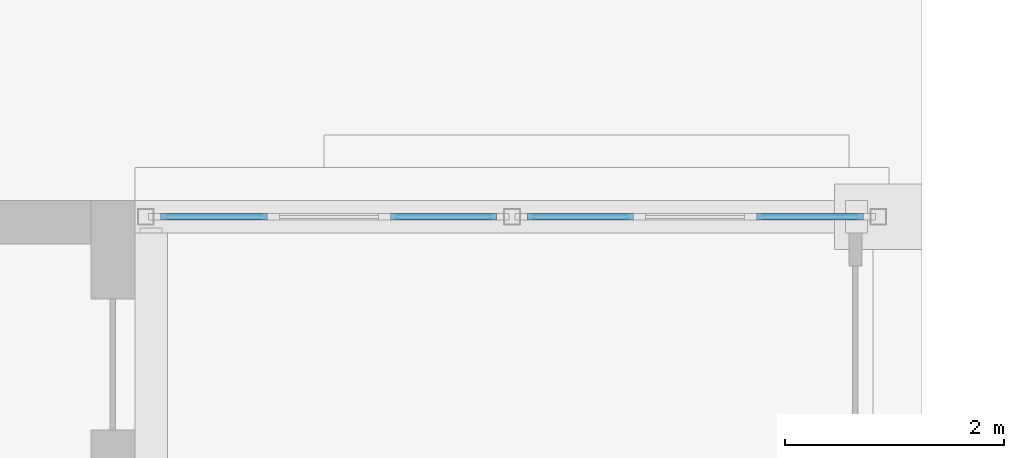
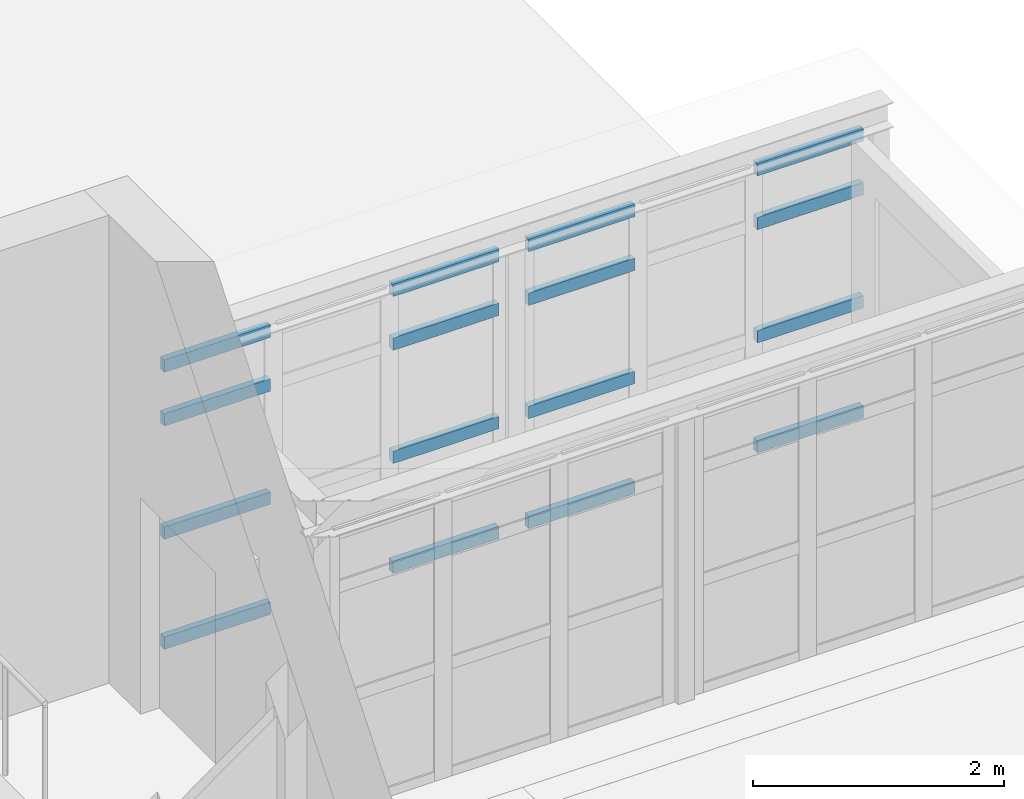
# One storey, part 61 of 131: 16 members, 2 elements without a shape of their own.
"""IFC4 building model written with IfcOpenShell, lengths in metres."""

import ifcopenshell
import ifcopenshell.guid

model = None  # the IFC model being written
_history = None  # IfcOwnerHistory: only IFC2X3 demands one
_inside = {}  # id of a spatial element -> (the spatial element, [elements in it])
_under = {}  # id of a project, library or spatial element -> (it, [spatial elements below it])
_declared = {}  # id of a project -> (the project, [libraries it declares])
_typed = {}  # id of a type object -> (the type object, [elements of that type])
_made_of = {}  # id of a material, layer set ... -> (it, [elements and type objects made of it])


def new_model(schema):
    """Start an empty IFC model of exactly this schema.

    Asked for "IFC4X3", IfcOpenShell would pick the latest addendum, in which some entities
    have other attributes; the version numbers below select the first issue.
    IFC2X3 requires an IfcOwnerHistory on every rooted entity: one is made here for all.
    """
    global model, _history
    if schema == "IFC4X3":
        model = ifcopenshell.file(schema_version=(4, 3, 0, 0))
    else:
        model = ifcopenshell.file(schema=schema)
    _inside.clear()
    _under.clear()
    _declared.clear()
    _typed.clear()
    _made_of.clear()
    _history = None
    if model.schema == "IFC2X3":
        org = make("IfcOrganization", Name="unknown")
        user = make(
            "IfcPersonAndOrganization",
            ThePerson=make("IfcPerson", FamilyName="unknown"),
            TheOrganization=org,
        )
        app = make(
            "IfcApplication",
            ApplicationDeveloper=org,
            Version="unknown",
            ApplicationFullName="unknown",
            ApplicationIdentifier="unknown",
        )
        _history = make(
            "IfcOwnerHistory",
            OwningUser=user,
            OwningApplication=app,
            ChangeAction="ADDED",
            CreationDate=0,
        )
    return model


def make(cls, **values):
    """One entity of the class cls with the attributes given. An attribute that is None is left unset."""
    return model.create_entity(
        cls, **{name: value for name, value in values.items() if value is not None}
    )


def rooted(cls, **values):
    """An entity with a GlobalId (a new one), such as an element, a storey or a relation."""
    return make(cls, GlobalId=ifcopenshell.guid.new(), OwnerHistory=_history, **values)


def si_unit(unit_type, name, prefix=None):
    """IfcSIUnit, for example si_unit("LENGTHUNIT", "METRE", prefix="MILLI")."""
    return make("IfcSIUnit", UnitType=unit_type, Prefix=prefix, Name=name)


def assignment(units):
    """IfcUnitAssignment: the units of a project."""
    return None if units is None else make("IfcUnitAssignment", Units=units)


def point(xyz):
    """IfcCartesianPoint."""
    return None if xyz is None else make("IfcCartesianPoint", Coordinates=xyz)


def direction(xyz):
    """IfcDirection."""
    return None if xyz is None else make("IfcDirection", DirectionRatios=xyz)


def frame(location, z_axis=None, x_axis=None):
    """IfcAxis2Placement3D, a coordinate frame: its origin and axes. An axis left out is left unset."""
    return make(
        "IfcAxis2Placement3D",
        Location=point(location),
        Axis=direction(z_axis),
        RefDirection=direction(x_axis),
    )


def frame_2d(location, x_axis=None):
    """IfcAxis2Placement2D, a coordinate frame in the plane: its origin and x axis."""
    return make(
        "IfcAxis2Placement2D", Location=point(location), RefDirection=direction(x_axis)
    )


def origin():
    """The frame at (0, 0, 0) with its axes left unset."""
    return frame((0.0, 0.0, 0.0))


def origin_2d():
    """The frame at (0, 0) in the plane with its x axis left unset."""
    return frame_2d((0.0, 0.0))


def place(relative_to, where):
    """IfcLocalPlacement: puts the frame where relative to a parent placement (None: the world)."""
    return make(
        "IfcLocalPlacement", PlacementRelTo=relative_to, RelativePlacement=where
    )


def context(
    kind, dimensions, precision=None, world=None, true_north=None, identifier=None
):
    """IfcGeometricRepresentationContext, for example the 3D "Model" context."""
    return make(
        "IfcGeometricRepresentationContext",
        ContextIdentifier=identifier,
        ContextType=kind,
        CoordinateSpaceDimension=dimensions,
        Precision=precision,
        WorldCoordinateSystem=world,
        TrueNorth=true_north,
    )


def subcontext(parent, identifier, kind, view, scale=None):
    """IfcGeometricRepresentationSubContext, for example "Body" below "Model"."""
    return make(
        "IfcGeometricRepresentationSubContext",
        ContextIdentifier=identifier,
        ContextType=kind,
        ParentContext=parent,
        TargetScale=scale,
        TargetView=view,
    )


def project(units=None, contexts=None):
    """IfcProject with its units and contexts."""
    return rooted(
        "IfcProject",
        Name="project",
        RepresentationContexts=contexts,
        UnitsInContext=assignment(units),
    )


def spatial(cls, under=None, at=None, **own):
    """A site, building, storey or space (cls), placed at a placement, below another one or the project."""
    s = rooted(cls, ObjectPlacement=at, **own)
    if under is not None:
        _under.setdefault(under.id(), (under, []))[1].append(s)
    return s


def profile(cls, at=None, kind="AREA", **sizes):
    """A parametric profile (cls). Its sizes go by their IFC names, for example OverallWidth=200.0."""
    return make(cls, ProfileType=kind, Position=at, **sizes)


def rectangle(**sizes):
    """IfcRectangleProfileDef."""
    return profile("IfcRectangleProfileDef", **sizes)


def extrude(swept, where, along, depth):
    """IfcExtrudedAreaSolid: the profile swept, set in the frame where, extruded along a direction by depth."""
    return make(
        "IfcExtrudedAreaSolid",
        SweptArea=swept,
        Position=where,
        ExtrudedDirection=direction(along),
        Depth=depth,
    )


def shape(context_of_items, identifier, shape_type, items):
    """IfcShapeRepresentation: the items that make up one representation, for example the "Body"."""
    return make(
        "IfcShapeRepresentation",
        ContextOfItems=context_of_items,
        RepresentationIdentifier=identifier,
        RepresentationType=shape_type,
        Items=items,
    )


def material(Name=None, Category=None):
    """IfcMaterial."""
    return make("IfcMaterial", Name=Name, Category=Category)


def layer(
    of_material, thickness, ventilated=None, Name=None, Category=None, Priority=None
):
    """IfcMaterialLayer: one layer of a wall or slab, of a material (None: an air gap)."""
    return make(
        "IfcMaterialLayer",
        Material=of_material,
        LayerThickness=thickness,
        IsVentilated=ventilated,
        Name=Name,
        Category=Category,
        Priority=Priority,
    )


def layer_set(layers, Name=None):
    """IfcMaterialLayerSet."""
    return make("IfcMaterialLayerSet", MaterialLayers=layers, LayerSetName=Name)


def material_profile(
    of_material, cross_section, Name=None, Category=None, Priority=None
):
    """IfcMaterialProfile: a cross section and its material."""
    return make(
        "IfcMaterialProfile",
        Name=Name,
        Material=of_material,
        Profile=cross_section,
        Priority=Priority,
        Category=Category,
    )


def profile_set(profiles, Name=None, composite=None):
    """IfcMaterialProfileSet."""
    return make(
        "IfcMaterialProfileSet",
        Name=Name,
        MaterialProfiles=profiles,
        CompositeProfile=composite,
    )


def made_of(thing, what):
    """Note that an element or type object is made of a material, layer set ...; save() writes the relation."""
    if what is not None:
        _made_of.setdefault(what.id(), (what, []))[1].append(thing)
    return thing


def type_object(cls, material=None, **own):
    """A type object (cls), such as IfcWallType, which elements share."""
    return made_of(rooted(cls, **own), material)


def element(
    cls,
    number,
    at=None,
    inside=None,
    cuts=None,
    type_object=None,
    material=None,
    context=None,
    identifier="Body",
    shape_type=None,
    held_by="IfcProductDefinitionShape",
    body=None,
    shapes=None,
    **own,
):
    """One element of the class cls, such as IfcWall. Its Tag is "e" and its number.

    at: its placement. inside: the storey or other place that contains it. cuts: it is an
    opening in that element (IfcRelVoidsElement). A single representation is given by context,
    identifier, shape_type and body (its items); several are given by shapes. held_by: the class
    of the entity that holds the representations. save() writes the other relations.
    """
    e = rooted(cls, Tag="e%d" % number, ObjectPlacement=at, **own)
    if body is not None:
        shapes = [shape(context, identifier, shape_type, body)]
    if shapes is not None:
        e.Representation = make(held_by, Representations=shapes)
    if inside is not None:
        _inside.setdefault(inside.id(), (inside, []))[1].append(e)
    if cuts is not None:
        rooted(
            "IfcRelVoidsElement", RelatingBuildingElement=cuts, RelatedOpeningElement=e
        )
    if type_object is not None:
        _typed.setdefault(type_object.id(), (type_object, []))[1].append(e)
    return made_of(e, material)


def aggregate(whole, parts):
    """IfcRelAggregates: a whole, such as a stair, and the parts it consists of."""
    return rooted("IfcRelAggregates", RelatingObject=whole, RelatedObjects=parts)


def save(model, path):
    """Write the relations noted so far, then the file.

    IfcRelAggregates (storeys below a building ...), IfcRelContainedInSpatialStructure (elements
    in a storey), IfcRelDefinesByType, IfcRelAssociatesMaterial and IfcRelDeclares: one each for
    every whole, place, type object, material and project.
    """
    for whole, parts in _under.values():
        aggregate(whole, parts)
    for where, things in _inside.values():
        rooted(
            "IfcRelContainedInSpatialStructure",
            RelatedElements=things,
            RelatingStructure=where,
        )
    for kind, things in _typed.values():
        rooted("IfcRelDefinesByType", RelatedObjects=things, RelatingType=kind)
    for what, things in _made_of.values():
        rooted("IfcRelAssociatesMaterial", RelatedObjects=things, RelatingMaterial=what)
    for by, libraries in _declared.values():
        rooted("IfcRelDeclares", RelatingContext=by, RelatedDefinitions=libraries)
    model.write(path)


model = new_model("IFC4")

# Units and contexts
model_context = context("Model", 3, precision=1e-05, world=origin(), true_north=direction((0.0, 1.0)))
body_context = subcontext(model_context, "Body", "Model", "MODEL_VIEW")
ifc_project = project(units=[si_unit("LENGTHUNIT", "METRE"), si_unit("AREAUNIT", "SQUARE_METRE"), si_unit("VOLUMEUNIT", "CUBIC_METRE"), si_unit("PLANEANGLEUNIT", "RADIAN"), si_unit("MASSUNIT", "GRAM", prefix="KILO")], contexts=[model_context])

# Site, building, storey
site_placement = place(None, origin())
site = spatial("IfcSite", under=ifc_project, at=site_placement, CompositionType="ELEMENT")
building_placement = place(site_placement, origin())
building = spatial("IfcBuilding", under=site, at=building_placement, Name="Alderwick Market Hall", CompositionType="ELEMENT")
storey_placement = place(building_placement, frame((0.0, 0.0, 4.800048828125)))
storey = spatial("IfcBuildingStorey", under=building, at=storey_placement, Name="L00", CompositionType="ELEMENT", Elevation=4.800048828125)

# Curtain wall, members
ifc_material = material(Name="Aluminium frame", Category="aluminium")
ifc_layer = layer(ifc_material, 0.10009765625)
ifc_layer_set = layer_set([ifc_layer], Name="Aluminium frame")
curtain_wall_type = type_object("IfcCurtainWallType", Name="P Curtain Wall 100", PredefinedType="NOTDEFINED", material=ifc_layer_set)
curtain_wall_1_placement = place(storey_placement, origin())
curtain_wall_1 = element("IfcCurtainWall", 1, at=curtain_wall_1_placement, inside=storey, type_object=curtain_wall_type, Name="P.P7.cw.b0", PredefinedType="NOTDEFINED")
ifc_material_profile = material_profile(ifc_material, rectangle(XDim=0.06005859375, YDim=0.1201171875, at=origin_2d()), Name="P Transom 60x120")
ifc_profile_set = profile_set([ifc_material_profile], Name="Aluminium frame")
member_type = type_object("IfcMemberType", Name="P Transom 60x120", PredefinedType="USERDEFINED", material=ifc_profile_set)
member_1_placement = place(storey_placement, frame((43.43603515625, 129.449951171875, 0.030029296875), z_axis=(1.0, 0.0, 0.0), x_axis=(0.0, 1.0, 0.0)))
member_1 = element("IfcMember", 2, at=member_1_placement, type_object=member_type, Name="P-CW7b0 transom 1.1", ObjectType="TRANSOM", PredefinedType="USERDEFINED", context=body_context, shape_type="SweptSolid", body=[
    extrude(rectangle(XDim=0.06005859375, YDim=0.1201171875, at=origin_2d()), origin(), (0.0, 0.0, 1.0), 0.97607421875),
])
member_2_placement = place(storey_placement, frame((43.43603515625, 129.449951171875, 1.099853515625), z_axis=(1.0, 0.0, 0.0), x_axis=(0.0, 1.0, 0.0)))
member_2 = element("IfcMember", 3, at=member_2_placement, type_object=member_type, Name="P-CW7b0 transom 1.2", ObjectType="TRANSOM", PredefinedType="USERDEFINED", context=body_context, shape_type="SweptSolid", body=[
    extrude(rectangle(XDim=0.06005859375, YDim=0.1201171875, at=origin_2d()), origin(), (0.0, 0.0, 1.0), 0.97607421875),
])
member_3_placement = place(storey_placement, frame((43.43603515625, 129.449951171875, 2.199951171875), z_axis=(1.0, 0.0, 0.0), x_axis=(0.0, 1.0, 0.0)))
member_3 = element("IfcMember", 4, at=member_3_placement, type_object=member_type, Name="P-CW7b0 transom 1.3", ObjectType="TRANSOM", PredefinedType="USERDEFINED", context=body_context, shape_type="SweptSolid", body=[
    extrude(rectangle(XDim=0.06005859375, YDim=0.1201171875, at=origin_2d()), origin(), (0.0, 0.0, 1.0), 0.97607421875),
])
member_4_placement = place(storey_placement, frame((43.43603515625, 129.449951171875, 2.722900390625), z_axis=(1.0, 0.0, 0.0), x_axis=(0.0, 1.0, 0.0)))
member_4 = element("IfcMember", 5, at=member_4_placement, type_object=member_type, Name="P-CW7b0 transom 1.4", ObjectType="TRANSOM", PredefinedType="USERDEFINED", context=body_context, shape_type="SweptSolid", body=[
    extrude(rectangle(XDim=0.06005859375, YDim=0.1201171875, at=origin_2d()), origin(), (0.0, 0.0, 1.0), 0.97607421875),
])
member_5_placement = place(storey_placement, frame((45.5380859375, 129.449951171875, 0.030029296875), z_axis=(1.0, 0.0, 0.0), x_axis=(0.0, 1.0, 0.0)))
member_5 = element("IfcMember", 6, at=member_5_placement, type_object=member_type, Name="P-CW7b0 transom 3.1", ObjectType="TRANSOM", PredefinedType="USERDEFINED", context=body_context, shape_type="SweptSolid", body=[
    extrude(rectangle(XDim=0.06005859375, YDim=0.1201171875, at=origin_2d()), origin(), (0.0, 0.0, 1.0), 0.975830078125),
])
member_6_placement = place(storey_placement, frame((45.5380859375, 129.449951171875, 1.099853515625), z_axis=(1.0, 0.0, 0.0), x_axis=(0.0, 1.0, 0.0)))
member_6 = element("IfcMember", 7, at=member_6_placement, type_object=member_type, Name="P-CW7b0 transom 3.2", ObjectType="TRANSOM", PredefinedType="USERDEFINED", context=body_context, shape_type="SweptSolid", body=[
    extrude(rectangle(XDim=0.06005859375, YDim=0.1201171875, at=origin_2d()), origin(), (0.0, 0.0, 1.0), 0.975830078125),
])
member_7_placement = place(storey_placement, frame((45.5380859375, 129.449951171875, 2.199951171875), z_axis=(1.0, 0.0, 0.0), x_axis=(0.0, 1.0, 0.0)))
member_7 = element("IfcMember", 8, at=member_7_placement, type_object=member_type, Name="P-CW7b0 transom 3.3", ObjectType="TRANSOM", PredefinedType="USERDEFINED", context=body_context, shape_type="SweptSolid", body=[
    extrude(rectangle(XDim=0.06005859375, YDim=0.1201171875, at=origin_2d()), origin(), (0.0, 0.0, 1.0), 0.975830078125),
])
member_8_placement = place(storey_placement, frame((45.5380859375, 129.449951171875, 2.722900390625), z_axis=(1.0, 0.0, 0.0), x_axis=(0.0, 1.0, 0.0)))
member_8 = element("IfcMember", 9, at=member_8_placement, type_object=member_type, Name="P-CW7b0 transom 3.4", ObjectType="TRANSOM", PredefinedType="USERDEFINED", context=body_context, shape_type="SweptSolid", body=[
    extrude(rectangle(XDim=0.06005859375, YDim=0.1201171875, at=origin_2d()), origin(), (0.0, 0.0, 1.0), 0.975830078125),
])
aggregate(curtain_wall_1, [member_1, member_2, member_3, member_4, member_5, member_6, member_7, member_8])

curtain_wall_2_placement = place(storey_placement, origin())
curtain_wall_2 = element("IfcCurtainWall", 10, at=curtain_wall_2_placement, inside=storey, type_object=curtain_wall_type, Name="P.P7.cw.b1", PredefinedType="NOTDEFINED")
member_9_placement = place(storey_placement, frame((46.785888671875, 129.449951171875, 0.030029296875), z_axis=(1.0, 0.0, 0.0), x_axis=(0.0, 1.0, 0.0)))
member_9 = element("IfcMember", 11, at=member_9_placement, type_object=member_type, Name="P-CW7b1 transom 1.1", ObjectType="TRANSOM", PredefinedType="USERDEFINED", context=body_context, shape_type="SweptSolid", body=[
    extrude(rectangle(XDim=0.06005859375, YDim=0.1201171875, at=origin_2d()), origin(), (0.0, 0.0, 1.0), 0.97607421875),
])
member_10_placement = place(storey_placement, frame((46.785888671875, 129.449951171875, 1.099853515625), z_axis=(1.0, 0.0, 0.0), x_axis=(0.0, 1.0, 0.0)))
member_10 = element("IfcMember", 12, at=member_10_placement, type_object=member_type, Name="P-CW7b1 transom 1.2", ObjectType="TRANSOM", PredefinedType="USERDEFINED", context=body_context, shape_type="SweptSolid", body=[
    extrude(rectangle(XDim=0.06005859375, YDim=0.1201171875, at=origin_2d()), origin(), (0.0, 0.0, 1.0), 0.97607421875),
])
member_11_placement = place(storey_placement, frame((46.785888671875, 129.449951171875, 2.199951171875), z_axis=(1.0, 0.0, 0.0), x_axis=(0.0, 1.0, 0.0)))
member_11 = element("IfcMember", 13, at=member_11_placement, type_object=member_type, Name="P-CW7b1 transom 1.3", ObjectType="TRANSOM", PredefinedType="USERDEFINED", context=body_context, shape_type="SweptSolid", body=[
    extrude(rectangle(XDim=0.06005859375, YDim=0.1201171875, at=origin_2d()), origin(), (0.0, 0.0, 1.0), 0.97607421875),
])
member_12_placement = place(storey_placement, frame((46.785888671875, 129.449951171875, 2.722900390625), z_axis=(1.0, 0.0, 0.0), x_axis=(0.0, 1.0, 0.0)))
member_12 = element("IfcMember", 14, at=member_12_placement, type_object=member_type, Name="P-CW7b1 transom 1.4", ObjectType="TRANSOM", PredefinedType="USERDEFINED", context=body_context, shape_type="SweptSolid", body=[
    extrude(rectangle(XDim=0.06005859375, YDim=0.1201171875, at=origin_2d()), origin(), (0.0, 0.0, 1.0), 0.97607421875),
])
member_13_placement = place(storey_placement, frame((48.887939453125, 129.449951171875, 0.030029296875), z_axis=(1.0, 0.0, 0.0), x_axis=(0.0, 1.0, 0.0)))
member_13 = element("IfcMember", 15, at=member_13_placement, type_object=member_type, Name="P-CW7b1 transom 3.1", ObjectType="TRANSOM", PredefinedType="USERDEFINED", context=body_context, shape_type="SweptSolid", body=[
    extrude(rectangle(XDim=0.06005859375, YDim=0.1201171875, at=origin_2d()), origin(), (0.0, 0.0, 1.0), 0.97607421875),
])
member_14_placement = place(storey_placement, frame((48.887939453125, 129.449951171875, 1.099853515625), z_axis=(1.0, 0.0, 0.0), x_axis=(0.0, 1.0, 0.0)))
member_14 = element("IfcMember", 16, at=member_14_placement, type_object=member_type, Name="P-CW7b1 transom 3.2", ObjectType="TRANSOM", PredefinedType="USERDEFINED", context=body_context, shape_type="SweptSolid", body=[
    extrude(rectangle(XDim=0.06005859375, YDim=0.1201171875, at=origin_2d()), origin(), (0.0, 0.0, 1.0), 0.97607421875),
])
member_15_placement = place(storey_placement, frame((48.887939453125, 129.449951171875, 2.199951171875), z_axis=(1.0, 0.0, 0.0), x_axis=(0.0, 1.0, 0.0)))
member_15 = element("IfcMember", 17, at=member_15_placement, type_object=member_type, Name="P-CW7b1 transom 3.3", ObjectType="TRANSOM", PredefinedType="USERDEFINED", context=body_context, shape_type="SweptSolid", body=[
    extrude(rectangle(XDim=0.06005859375, YDim=0.1201171875, at=origin_2d()), origin(), (0.0, 0.0, 1.0), 0.97607421875),
])
member_16_placement = place(storey_placement, frame((48.887939453125, 129.449951171875, 2.722900390625), z_axis=(1.0, 0.0, 0.0), x_axis=(0.0, 1.0, 0.0)))
member_16 = element("IfcMember", 18, at=member_16_placement, type_object=member_type, Name="P-CW7b1 transom 3.4", ObjectType="TRANSOM", PredefinedType="USERDEFINED", context=body_context, shape_type="SweptSolid", body=[
    extrude(rectangle(XDim=0.06005859375, YDim=0.1201171875, at=origin_2d()), origin(), (0.0, 0.0, 1.0), 0.97607421875),
])
aggregate(curtain_wall_2, [member_9, member_10, member_11, member_12, member_13, member_14, member_15, member_16])

save(model, "model.ifc")
